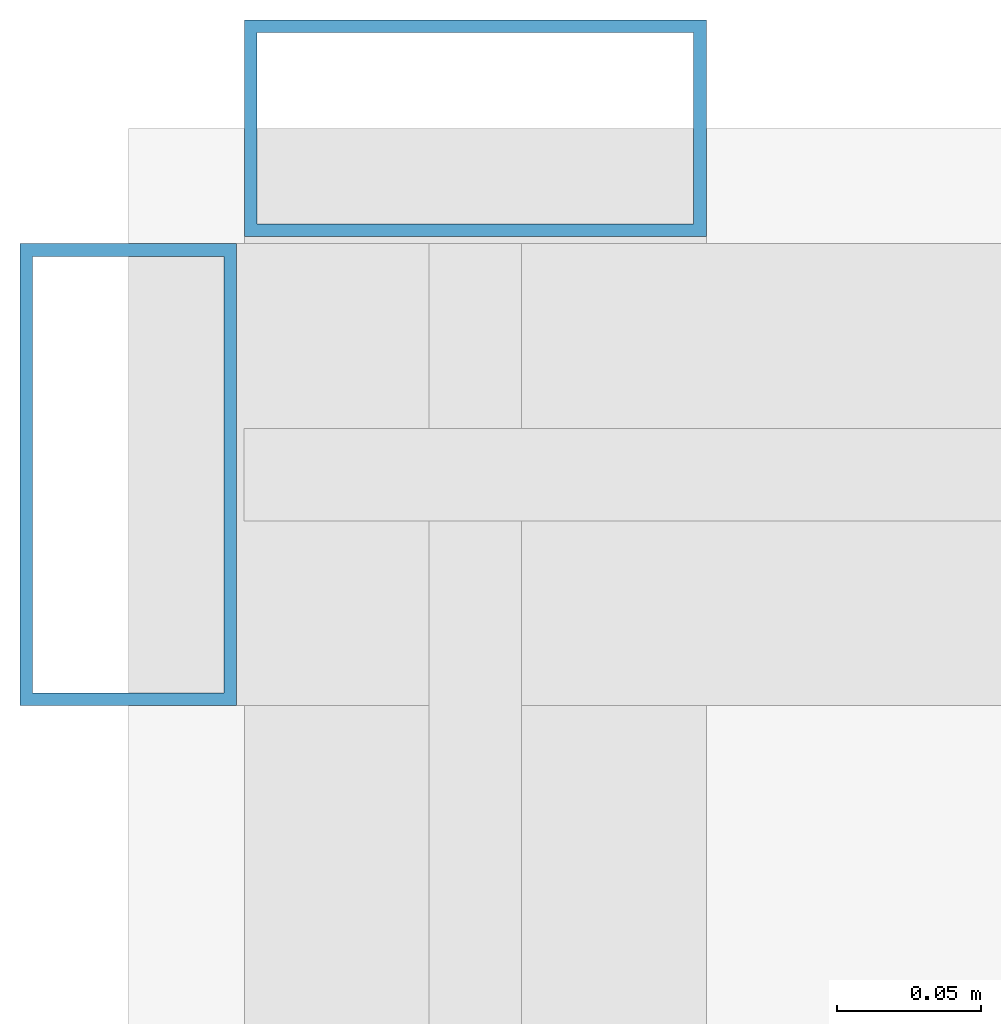
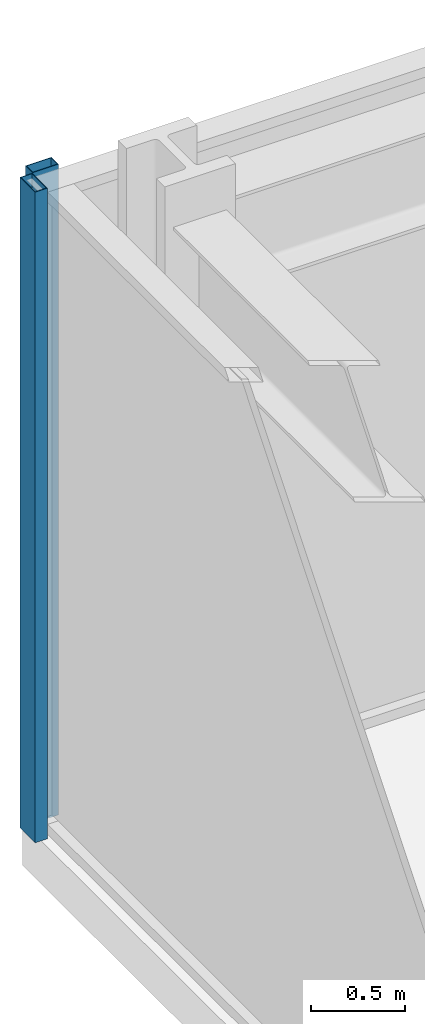
# One storey, part 28 of 47: 2 members, 2 elements without a shape of their own.
"""IFC4 building model written with IfcOpenShell, lengths in metres."""

from ifc_helpers import new_model, si_unit, direction, frame, origin, origin_2d, place, context, subcontext, project, spatial, hollow_rectangle, extrude, material, material_profile, profile_set, type_object, element, aggregate, save


model = new_model("IFC4")

# Units and contexts
model_context = context("Model", 3, precision=1e-05, world=origin(), true_north=direction((0.0, 1.0)))
body_context = subcontext(model_context, "Body", "Model", "MODEL_VIEW")
ifc_project = project(units=[si_unit("LENGTHUNIT", "METRE"), si_unit("AREAUNIT", "SQUARE_METRE"), si_unit("VOLUMEUNIT", "CUBIC_METRE"), si_unit("PLANEANGLEUNIT", "RADIAN"), si_unit("MASSUNIT", "GRAM", prefix="KILO")], contexts=[model_context])

# Site, building, storey
site_placement = place(None, origin())
site = spatial("IfcSite", under=ifc_project, at=site_placement, CompositionType="ELEMENT")
building_placement = place(site_placement, origin())
building = spatial("IfcBuilding", under=site, at=building_placement, Name="Kolvaren Belvedere", CompositionType="ELEMENT")
storey_placement = place(building_placement, frame((0.0, 0.0, 5.5)))
storey = spatial("IfcBuildingStorey", under=building, at=storey_placement, Name="L02", CompositionType="ELEMENT", Elevation=5.5)

# Curtain wall, member
ifc_material_1 = material(Name="Anodised pale-metal aluminium AA 6063-T6", Category="aluminium")
curtain_wall_type = type_object("IfcCurtainWallType", Name="CW-POD-A", PredefinedType="NOTDEFINED", material=ifc_material_1)
curtain_wall_1_placement = place(storey_placement, origin())
curtain_wall_1 = element("IfcCurtainWall", 1, at=curtain_wall_1_placement, inside=storey, type_object=curtain_wall_type, Name="L02 Unitised Curtain Wall FCW-L02-SEG7", PredefinedType="NOTDEFINED")
ifc_material_2 = material(Name="Anodised pale-metal aluminium AA 6063-T6", Category="aluminium")
ifc_material_profile = material_profile(ifc_material_2, hollow_rectangle(XDim=0.074951171875, YDim=0.159912109375, WallThickness=0.00439453125, at=origin_2d()), Name="ALU-MUL-160X75")
ifc_profile_set = profile_set([ifc_material_profile], Name="Anodised pale-metal aluminium AA 6063-T6")
member_type = type_object("IfcMemberType", Name="CW-MUL-160", PredefinedType="MULLION", material=ifc_profile_set)
member_1_placement = place(storey_placement, frame((-28.0, 28.280029296875, 0.0), z_axis=(0.0, 0.0, 1.0), x_axis=(1.0, 0.0, 0.0)))
member_1 = element("IfcMember", 2, at=member_1_placement, type_object=member_type, Name="FCW-L02-SEG7 Unitised Mullion 1", PredefinedType="MULLION", context=body_context, shape_type="SweptSolid", body=[
    extrude(hollow_rectangle(XDim=0.074951171875, YDim=0.159912109375, WallThickness=0.00439453125, at=origin_2d()), origin(), (0.0, 0.0, 1.0), 4.219970703125),
])
aggregate(curtain_wall_1, [member_1])

curtain_wall_2_placement = place(storey_placement, origin())
curtain_wall_2 = element("IfcCurtainWall", 3, at=curtain_wall_2_placement, inside=storey, type_object=curtain_wall_type, Name="L02 Unitised Curtain Wall FCW-L02-SEG8", PredefinedType="NOTDEFINED")
member_2_placement = place(storey_placement, frame((-27.8798828125, 28.39990234375, 0.0), z_axis=(0.0, 0.0, 1.0), x_axis=(0.0, 1.0, 0.0)))
member_2 = element("IfcMember", 4, at=member_2_placement, type_object=member_type, Name="FCW-L02-SEG8 Unitised Mullion 5", PredefinedType="MULLION", context=body_context, shape_type="SweptSolid", body=[
    extrude(hollow_rectangle(XDim=0.074951171875, YDim=0.159912109375, WallThickness=0.00439453125, at=origin_2d()), origin(), (0.0, 0.0, 1.0), 4.219970703125),
])
aggregate(curtain_wall_2, [member_2])

save(model, "model.ifc")
